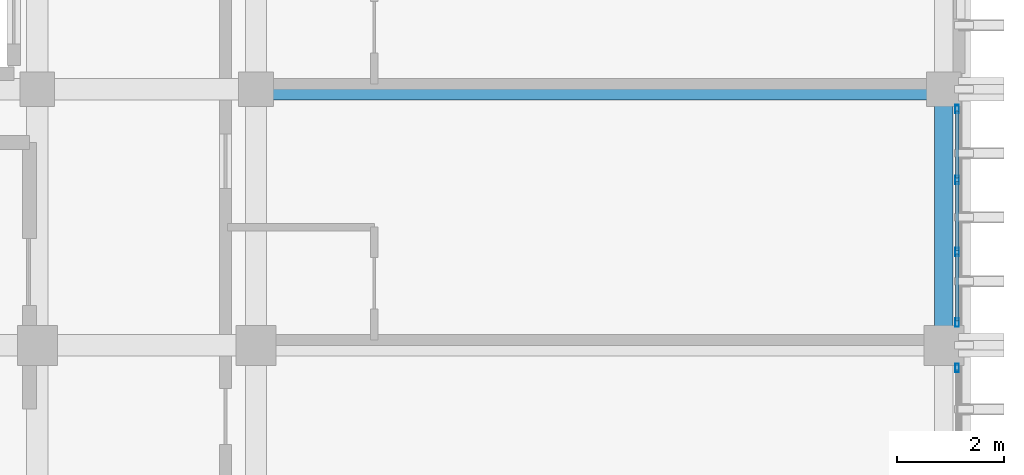
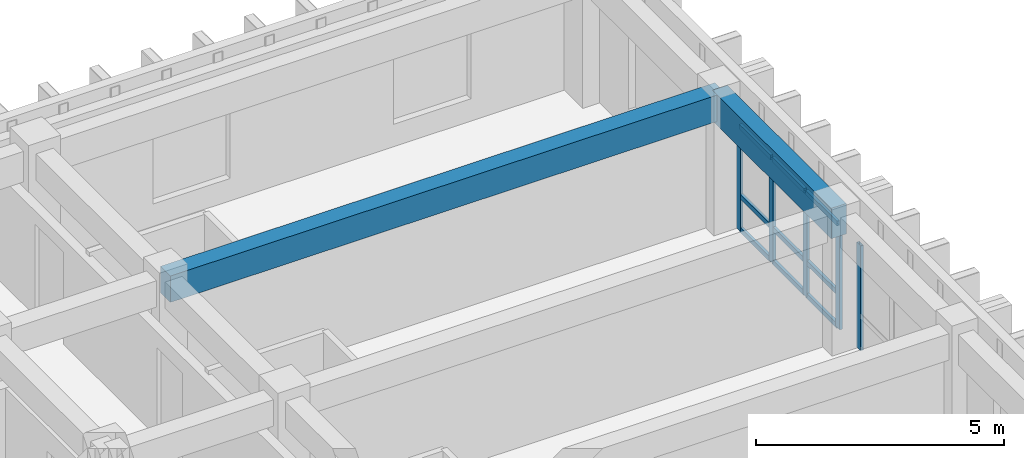
# One storey, part 46 of 64: 14 members, 2 beams, 2 elements without a shape of their own.
"""IFC4 building model written with IfcOpenShell, lengths in metres."""

from ifc_helpers import new_model, si_unit, direction, frame, origin, origin_2d, place, context, subcontext, project, spatial, rectangle, hollow_rectangle, extrude, material, layer, layer_set, material_profile, profile_set, type_object, element, aggregate, save


model = new_model("IFC4")

# Units and contexts
model_context = context("Model", 3, precision=1e-05, world=origin(), true_north=direction((0.0, 1.0)))
body_context = subcontext(model_context, "Body", "Model", "MODEL_VIEW")
ifc_project = project(units=[si_unit("LENGTHUNIT", "METRE"), si_unit("AREAUNIT", "SQUARE_METRE"), si_unit("VOLUMEUNIT", "CUBIC_METRE"), si_unit("PLANEANGLEUNIT", "RADIAN"), si_unit("MASSUNIT", "GRAM", prefix="KILO")], contexts=[model_context])

# Site, building, storey
site_placement = place(None, origin())
site = spatial("IfcSite", under=ifc_project, at=site_placement, CompositionType="ELEMENT")
building_placement = place(site_placement, origin())
building = spatial("IfcBuilding", under=site, at=building_placement, Name="Nakhvara Creek Congress Hotel", CompositionType="ELEMENT")
storey_placement = place(building_placement, frame((0.0, 0.0, 28.199951171875)))
storey = spatial("IfcBuildingStorey", under=building, at=storey_placement, Name="L06", CompositionType="ELEMENT", Elevation=28.199951171875)

# Beams
ifc_material_1 = material(Name="Concrete C40/50", Category="concrete")
ifc_material_profile_1 = material_profile(ifc_material_1, rectangle(XDim=0.39990234375, YDim=0.64990234375, at=origin_2d()), Name="RC-BM 400x650", Category="LoadBearing")
ifc_profile_set_1 = profile_set([ifc_material_profile_1], Name="Concrete C40/50")
beam_type_1 = type_object("IfcBeamType", Name="BM-RC-400X650", PredefinedType="BEAM", material=ifc_profile_set_1)
beam_1_placement = place(storey_placement, frame((166.449951171875, 120.0, 3.01513671875), z_axis=(1.0, 0.0, 0.0), x_axis=(0.0, 1.0, 0.0)))
element("IfcBeam", 1, at=beam_1_placement, inside=storey, type_object=beam_type_1, Name="Beam B06-L06-2317", PredefinedType="BEAM", context=body_context, shape_type="SweptSolid", body=[
    extrude(rectangle(XDim=0.39990234375, YDim=0.64990234375, at=origin_2d()), origin(), (0.0, 0.0, 1.0), 12.900146484375),
])
ifc_material_profile_2 = material_profile(ifc_material_1, rectangle(XDim=0.35009765625, YDim=0.75, at=origin_2d()), Name="RC-SPANDREL 350x750", Category="LoadBearing")
ifc_profile_set_2 = profile_set([ifc_material_profile_2], Name="Concrete C40/50")
beam_type_2 = type_object("IfcBeamType", Name="BM-SPN-350X750", PredefinedType="SPANDREL", material=ifc_profile_set_2)
beam_2_placement = place(storey_placement, frame((179.35009765625, 115.199951171875, 2.965087890625), z_axis=(0.0, 1.0, 0.0), x_axis=(-1.0, 0.0, 0.0)))
element("IfcBeam", 2, at=beam_2_placement, inside=storey, type_object=beam_type_2, Name="Beam SP1-L06-2291", PredefinedType="SPANDREL", context=body_context, shape_type="SweptSolid", body=[
    extrude(rectangle(XDim=0.35009765625, YDim=0.75, at=origin_2d()), origin(), (0.0, 0.0, 1.0), 4.800048828125),
])

# Curtain wall, member
ifc_material_2 = material(Name="Bronze-anodised aluminium AW-6063-T6 and double-silver low-E glass", Category="aluminium")
ifc_layer = layer(ifc_material_2, 0.199951171875)
ifc_layer_set = layer_set([ifc_layer], Name="Bronze-anodised aluminium AW-6063-T6 and double-silver low-E glass")
curtain_wall_type = type_object("IfcCurtainWallType", Name="CW-HTL-UNIT", PredefinedType="USERDEFINED", material=ifc_layer_set)
curtain_wall_1_placement = place(storey_placement, origin())
curtain_wall_1 = element("IfcCurtainWall", 3, at=curtain_wall_1_placement, inside=storey, type_object=curtain_wall_type, Name="Curtain Wall CW249", ObjectType="UNITISED", PredefinedType="USERDEFINED")
ifc_material_3 = material(Name="Bronze-anodised aluminium AW-6063-T6", Category="aluminium")
ifc_material_profile_3 = material_profile(ifc_material_3, hollow_rectangle(XDim=0.06494140625, YDim=0.159912109375, WallThickness=0.00390625, at=origin_2d()), Name="ALU-MULL 65x160x4", Category="LoadBearing")
ifc_profile_set_3 = profile_set([ifc_material_profile_3], Name="Bronze-anodised aluminium AW-6063-T6")
member_type_1 = type_object("IfcMemberType", Name="CW-MULL-160", PredefinedType="MULLION", material=ifc_profile_set_3)
member_1_placement = place(storey_placement, frame((179.60009765625, 114.777587890625, 0.0), z_axis=(0.0, 0.0, 1.0), x_axis=(1.0, 0.0, 0.0)))
member_1 = element("IfcMember", 4, at=member_1_placement, type_object=member_type_1, Name="CW249 mullion 1", PredefinedType="MULLION", context=body_context, shape_type="SweptSolid", body=[
    extrude(hollow_rectangle(XDim=0.06494140625, YDim=0.159912109375, WallThickness=0.00390625, at=origin_2d()), origin(), (0.0, 0.0, 1.0), 2.58203125),
])
aggregate(curtain_wall_1, [member_1])

# Curtain wall, members
curtain_wall_2_placement = place(storey_placement, origin())
curtain_wall_2 = element("IfcCurtainWall", 5, at=curtain_wall_2_placement, inside=storey, type_object=curtain_wall_type, Name="Curtain Wall CW251", ObjectType="UNITISED", PredefinedType="USERDEFINED")
member_2_placement = place(storey_placement, frame((179.60009765625, 119.62744140625, 0.0), z_axis=(0.0, 0.0, 1.0), x_axis=(1.0, 0.0, 0.0)))
member_2 = element("IfcMember", 6, at=member_2_placement, type_object=member_type_1, Name="CW251 mullion 1", PredefinedType="MULLION", context=body_context, shape_type="SweptSolid", body=[
    extrude(hollow_rectangle(XDim=0.06494140625, YDim=0.159912109375, WallThickness=0.00390625, at=origin_2d()), origin(), (0.0, 0.0, 1.0), 2.58203125),
])
member_3_placement = place(storey_placement, frame((179.60009765625, 118.30322265625, 0.0), z_axis=(0.0, 0.0, 1.0), x_axis=(1.0, 0.0, 0.0)))
member_3 = element("IfcMember", 7, at=member_3_placement, type_object=member_type_1, Name="CW251 mullion 2", PredefinedType="MULLION", context=body_context, shape_type="SweptSolid", body=[
    extrude(hollow_rectangle(XDim=0.06494140625, YDim=0.159912109375, WallThickness=0.00390625, at=origin_2d()), origin(), (0.0, 0.0, 1.0), 2.58203125),
])
member_4_placement = place(storey_placement, frame((179.60009765625, 116.94677734375, 0.0), z_axis=(0.0, 0.0, 1.0), x_axis=(1.0, 0.0, 0.0)))
member_4 = element("IfcMember", 8, at=member_4_placement, type_object=member_type_1, Name="CW251 mullion 3", PredefinedType="MULLION", context=body_context, shape_type="SweptSolid", body=[
    extrude(hollow_rectangle(XDim=0.06494140625, YDim=0.159912109375, WallThickness=0.00390625, at=origin_2d()), origin(), (0.0, 0.0, 1.0), 2.58203125),
])
member_5_placement = place(storey_placement, frame((179.60009765625, 115.62255859375, 0.0), z_axis=(0.0, 0.0, 1.0), x_axis=(1.0, 0.0, 0.0)))
member_5 = element("IfcMember", 9, at=member_5_placement, type_object=member_type_1, Name="CW251 mullion 4", PredefinedType="MULLION", context=body_context, shape_type="SweptSolid", body=[
    extrude(hollow_rectangle(XDim=0.06494140625, YDim=0.159912109375, WallThickness=0.00390625, at=origin_2d()), origin(), (0.0, 0.0, 1.0), 2.58203125),
])
ifc_material_profile_4 = material_profile(ifc_material_3, hollow_rectangle(XDim=0.06494140625, YDim=0.1201171875, WallThickness=0.00390625, at=origin_2d()), Name="ALU-TRAN 65x120x4", Category="LoadBearing")
ifc_profile_set_4 = profile_set([ifc_material_profile_4], Name="Bronze-anodised aluminium AW-6063-T6")
member_type_2 = type_object("IfcMemberType", Name="CW-TRAN-120", PredefinedType="USERDEFINED", material=ifc_profile_set_4)
member_6_placement = place(storey_placement, frame((179.60009765625, 119.594970703125, 0.032470703125), z_axis=(0.0, -1.0, 0.0), x_axis=(1.0, 0.0, 0.0)))
member_6 = element("IfcMember", 10, at=member_6_placement, type_object=member_type_2, Name="CW251 transom 1.1", ObjectType="TRANSOM", PredefinedType="USERDEFINED", context=body_context, shape_type="SweptSolid", body=[
    extrude(hollow_rectangle(XDim=0.06494140625, YDim=0.1201171875, WallThickness=0.00390625, at=origin_2d()), origin(), (0.0, 0.0, 1.0), 1.259033203125),
])
member_7_placement = place(storey_placement, frame((179.60009765625, 119.594970703125, 0.85009765625), z_axis=(0.0, -1.0, 0.0), x_axis=(1.0, 0.0, 0.0)))
member_7 = element("IfcMember", 11, at=member_7_placement, type_object=member_type_2, Name="CW251 transom 1.2", ObjectType="TRANSOM", PredefinedType="USERDEFINED", context=body_context, shape_type="SweptSolid", body=[
    extrude(hollow_rectangle(XDim=0.06494140625, YDim=0.1201171875, WallThickness=0.00390625, at=origin_2d()), origin(), (0.0, 0.0, 1.0), 1.259033203125),
])
member_8_placement = place(storey_placement, frame((179.60009765625, 119.594970703125, 2.549560546875), z_axis=(0.0, -1.0, 0.0), x_axis=(1.0, 0.0, 0.0)))
member_8 = element("IfcMember", 12, at=member_8_placement, type_object=member_type_2, Name="CW251 transom 1.3", ObjectType="TRANSOM", PredefinedType="USERDEFINED", context=body_context, shape_type="SweptSolid", body=[
    extrude(hollow_rectangle(XDim=0.06494140625, YDim=0.1201171875, WallThickness=0.00390625, at=origin_2d()), origin(), (0.0, 0.0, 1.0), 1.259033203125),
])
member_9_placement = place(storey_placement, frame((179.60009765625, 118.270751953125, 0.032470703125), z_axis=(0.0, -1.0, 0.0), x_axis=(1.0, 0.0, 0.0)))
member_9 = element("IfcMember", 13, at=member_9_placement, type_object=member_type_2, Name="CW251 transom 2.1", ObjectType="TRANSOM", PredefinedType="USERDEFINED", context=body_context, shape_type="SweptSolid", body=[
    extrude(hollow_rectangle(XDim=0.06494140625, YDim=0.1201171875, WallThickness=0.00390625, at=origin_2d()), origin(), (0.0, 0.0, 1.0), 1.29150390625),
])
member_10_placement = place(storey_placement, frame((179.60009765625, 118.270751953125, 0.85009765625), z_axis=(0.0, -1.0, 0.0), x_axis=(1.0, 0.0, 0.0)))
member_10 = element("IfcMember", 14, at=member_10_placement, type_object=member_type_2, Name="CW251 transom 2.2", ObjectType="TRANSOM", PredefinedType="USERDEFINED", context=body_context, shape_type="SweptSolid", body=[
    extrude(hollow_rectangle(XDim=0.06494140625, YDim=0.1201171875, WallThickness=0.00390625, at=origin_2d()), origin(), (0.0, 0.0, 1.0), 1.29150390625),
])
member_11_placement = place(storey_placement, frame((179.60009765625, 118.270751953125, 2.549560546875), z_axis=(0.0, -1.0, 0.0), x_axis=(1.0, 0.0, 0.0)))
member_11 = element("IfcMember", 15, at=member_11_placement, type_object=member_type_2, Name="CW251 transom 2.3", ObjectType="TRANSOM", PredefinedType="USERDEFINED", context=body_context, shape_type="SweptSolid", body=[
    extrude(hollow_rectangle(XDim=0.06494140625, YDim=0.1201171875, WallThickness=0.00390625, at=origin_2d()), origin(), (0.0, 0.0, 1.0), 1.29150390625),
])
member_12_placement = place(storey_placement, frame((179.60009765625, 116.9140625, 0.032470703125), z_axis=(0.0, -1.0, 0.0), x_axis=(1.0, 0.0, 0.0)))
member_12 = element("IfcMember", 16, at=member_12_placement, type_object=member_type_2, Name="CW251 transom 3.1", ObjectType="TRANSOM", PredefinedType="USERDEFINED", context=body_context, shape_type="SweptSolid", body=[
    extrude(hollow_rectangle(XDim=0.06494140625, YDim=0.1201171875, WallThickness=0.00390625, at=origin_2d()), origin(), (0.0, 0.0, 1.0), 1.259033203125),
])
member_13_placement = place(storey_placement, frame((179.60009765625, 116.9140625, 0.85009765625), z_axis=(0.0, -1.0, 0.0), x_axis=(1.0, 0.0, 0.0)))
member_13 = element("IfcMember", 17, at=member_13_placement, type_object=member_type_2, Name="CW251 transom 3.2", ObjectType="TRANSOM", PredefinedType="USERDEFINED", context=body_context, shape_type="SweptSolid", body=[
    extrude(hollow_rectangle(XDim=0.06494140625, YDim=0.1201171875, WallThickness=0.00390625, at=origin_2d()), origin(), (0.0, 0.0, 1.0), 1.259033203125),
])
member_14_placement = place(storey_placement, frame((179.60009765625, 116.9140625, 2.549560546875), z_axis=(0.0, -1.0, 0.0), x_axis=(1.0, 0.0, 0.0)))
member_14 = element("IfcMember", 18, at=member_14_placement, type_object=member_type_2, Name="CW251 transom 3.3", ObjectType="TRANSOM", PredefinedType="USERDEFINED", context=body_context, shape_type="SweptSolid", body=[
    extrude(hollow_rectangle(XDim=0.06494140625, YDim=0.1201171875, WallThickness=0.00390625, at=origin_2d()), origin(), (0.0, 0.0, 1.0), 1.259033203125),
])
aggregate(curtain_wall_2, [member_2, member_3, member_4, member_5, member_6, member_7, member_8, member_9, member_10, member_11, member_12, member_13, member_14])

save(model, "model.ifc")
